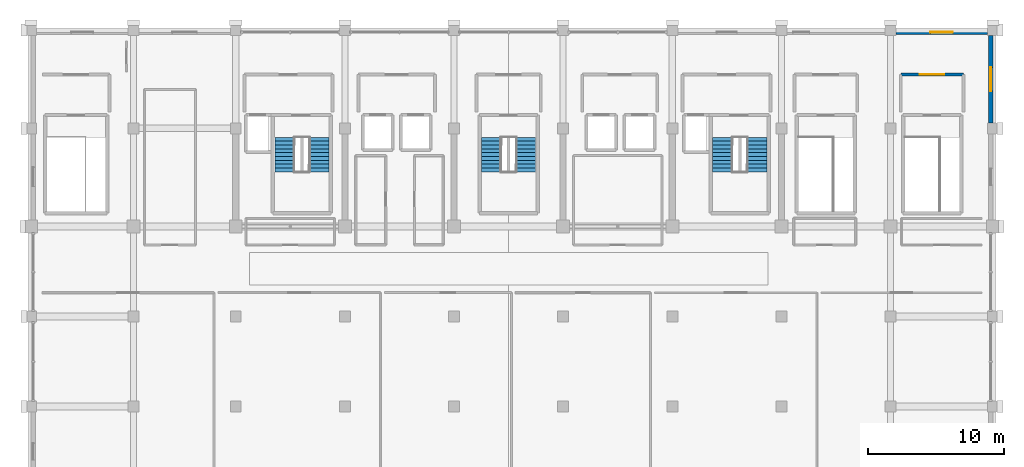
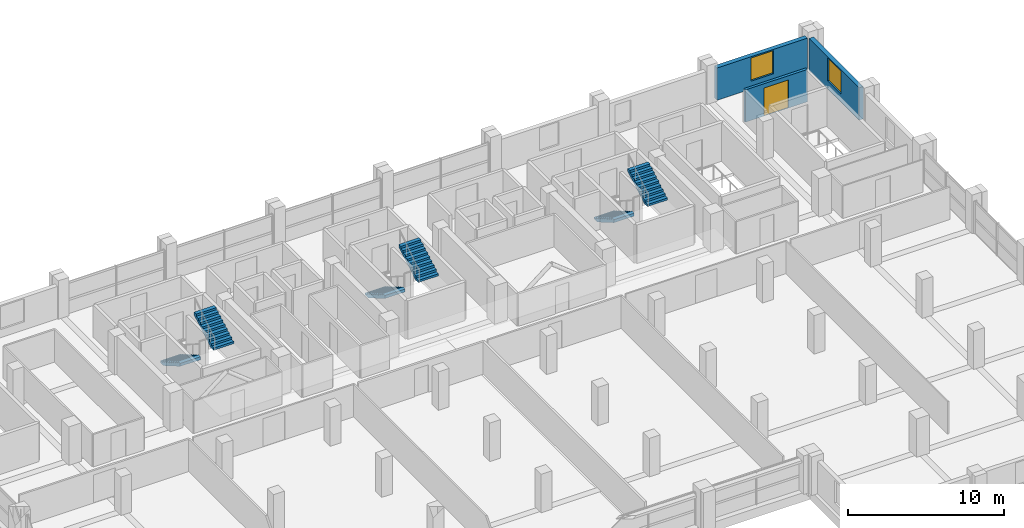
# One storey, part 20 of 21: 6 stair flights, 3 walls, 2 windows, 1 door, 3 openings, 3 elements without a shape of their own.
"""IFC4 building model written with IfcOpenShell, lengths in metres."""

from ifc_helpers import new_model, si_unit, direction, frame, frame_2d, origin, place, context, subcontext, project, spatial, polyline, rectangle, outline, extrude, material, layer, layer_set, type_object, element, fill, aggregate, save


model = new_model("IFC4")

# Units and contexts
model_context = context("Model", 3, precision=1e-05, world=origin(), true_north=direction((0.0, 1.0)))
body_context = subcontext(model_context, "Body", "Model", "MODEL_VIEW")
ifc_project = project(units=[si_unit("LENGTHUNIT", "METRE"), si_unit("AREAUNIT", "SQUARE_METRE"), si_unit("VOLUMEUNIT", "CUBIC_METRE"), si_unit("PLANEANGLEUNIT", "RADIAN"), si_unit("MASSUNIT", "GRAM", prefix="KILO")], contexts=[model_context])

# Site, building, storey
site_placement = place(None, origin())
site = spatial("IfcSite", under=ifc_project, at=site_placement, CompositionType="ELEMENT")
building_placement = place(site_placement, origin())
building = spatial("IfcBuilding", under=site, at=building_placement, Name="Akrevak Sports Hall", CompositionType="ELEMENT")
storey_placement = place(building_placement, frame((0.0, 0.0, 37.300048828125)))
storey = spatial("IfcBuildingStorey", under=building, at=storey_placement, Name="L08", CompositionType="ELEMENT", Elevation=37.300048828125)

# Wall, opening, window
ifc_material_1 = material(Name="Limestone Ashlar", Category="stone")
ifc_layer_1 = layer(ifc_material_1, 0.070068359375, Name="Limestone Ashlar")
ifc_material_2 = material(Name="Mineral Wool Thermal Insulation", Category="insulation")
ifc_layer_2 = layer(ifc_material_2, 0.090087890625, Name="Mineral Wool Thermal Insulation")
ifc_material_3 = material(Name="Concrete C40/50", Category="concrete")
ifc_layer_3 = layer(ifc_material_3, 0.159912109375, Name="Concrete C40/50")
ifc_layer_set_1 = layer_set([ifc_layer_1, ifc_layer_2, ifc_layer_3], Name="Limestone Ashlar / Mineral Wool Thermal Insulation / Concrete C40/50")
wall_type_1 = type_object("IfcWallType", Name="ARC-WL-EXT-320", PredefinedType="SOLIDWALL", material=ifc_layer_set_1)
wall_1_placement = place(storey_placement, frame((115.340087890625, 62.800048828125, 0.0), z_axis=(0.0, 0.0, 1.0), x_axis=(0.0, 1.0, 0.0)))
wall_1 = element("IfcWall", 1, at=wall_1_placement, inside=storey, type_object=wall_type_1, Name="Tower Stone Facade Wall L08-E18", PredefinedType="SOLIDWALL", context=body_context, shape_type="SweptSolid", body=[
    extrude(rectangle(XDim=6.39990234375, YDim=0.320068359375, at=frame_2d((3.199951171875, 0.0))), origin(), (0.0, 0.0, 1.0), 2.530029296875),
])
opening_1_placement = place(wall_1_placement, frame((2.324951171875, 0.0, 0.6201171875)))
opening_1 = element("IfcOpeningElement", 2, at=opening_1_placement, cuts=wall_1, Name="Opening WN-56", PredefinedType="OPENING", context=body_context, shape_type="SweptSolid", body=[
    extrude(rectangle(XDim=1.75, YDim=1.81005859375, at=frame_2d((0.875, 0.905029296875))), frame((0.0, 0.171875, 0.0), z_axis=(0.0, -1.0, 0.0), x_axis=(1.0, 0.0, 0.0)), (0.0, 0.0, 1.0), 0.343994140625),
])
ifc_material_4 = material(Name="Thermally Broken Bronze Frame & Double Low-E Glass", Category="glass")
window_type_1 = type_object("IfcWindowType", Name="ARC-WIN-SZ-1750x1810", PartitioningType="SINGLE_PANEL", PredefinedType="WINDOW", material=ifc_material_4)
window_1_placement = place(opening_1_placement, origin())
window_1 = element("IfcWindow", 3, at=window_1_placement, inside=storey, type_object=window_type_1, Name="Tower Window L08-E18", OverallHeight=1.81005859375, OverallWidth=1.75, PartitioningType="SINGLE_PANEL", PredefinedType="WINDOW", context=body_context, shape_type="SweptSolid", body=[
    extrude(rectangle(XDim=1.75, YDim=1.81005859375, at=frame_2d((0.875, 0.905029296875))), frame((0.0, 0.030029296875, 0.0), z_axis=(0.0, -1.0, 0.0), x_axis=(1.0, 0.0, 0.0)), (0.0, 0.0, 1.0), 0.06005859375),
])
fill(opening_1, window_1)

wall_2_placement = place(storey_placement, frame((115.10009765625, 69.43994140625, 0.0), z_axis=(0.0, 0.0, 1.0), x_axis=(-1.0, 0.0, 0.0)))
wall_2 = element("IfcWall", 4, at=wall_2_placement, inside=storey, type_object=wall_type_1, Name="Tower Stone Facade Wall L08-N19", PredefinedType="SOLIDWALL", context=body_context, shape_type="SweptSolid", body=[
    extrude(rectangle(XDim=6.7001953125, YDim=0.320068359375, at=frame_2d((3.35009765625, 0.0))), origin(), (0.0, 0.0, 1.0), 2.530029296875),
])
opening_2_placement = place(wall_2_placement, frame((2.52490234375, 0.0, 0.6201171875)))
opening_2 = element("IfcOpeningElement", 5, at=opening_2_placement, cuts=wall_2, Name="Opening WN-58", PredefinedType="OPENING", context=body_context, shape_type="SweptSolid", body=[
    extrude(rectangle(XDim=1.64990234375, YDim=1.81005859375, at=frame_2d((0.824951171875, 0.905029296875))), frame((0.0, 0.171875, 0.0), z_axis=(0.0, -1.0, 0.0), x_axis=(1.0, 0.0, 0.0)), (0.0, 0.0, 1.0), 0.343994140625),
])
window_type_2 = type_object("IfcWindowType", Name="ARC-WIN-SZ-1650x1810", PartitioningType="SINGLE_PANEL", PredefinedType="WINDOW", material=ifc_material_4)
window_2_placement = place(opening_2_placement, origin())
window_2 = element("IfcWindow", 6, at=window_2_placement, inside=storey, type_object=window_type_2, Name="Tower Window L08-N19", OverallHeight=1.81005859375, OverallWidth=1.64990234375, PartitioningType="SINGLE_PANEL", PredefinedType="WINDOW", context=body_context, shape_type="SweptSolid", body=[
    extrude(rectangle(XDim=1.64990234375, YDim=1.81005859375, at=frame_2d((0.824951171875, 0.905029296875))), frame((0.0, 0.030029296875, 0.0), z_axis=(0.0, -1.0, 0.0), x_axis=(1.0, 0.0, 0.0)), (0.0, 0.0, 1.0), 0.06005859375),
])
fill(opening_2, window_2)

# Wall, opening, door
ifc_material_5 = material(Name="Autoclaved Aerated Masonry Block", Category="masonry")
ifc_layer_4 = layer(ifc_material_5, 0.199951171875, Name="Autoclaved Aerated Masonry Block")
ifc_layer_set_2 = layer_set([ifc_layer_4], Name="Autoclaved Aerated Masonry Block")
wall_type_2 = type_object("IfcWallType", Name="ARC-WL-PRT-200", PredefinedType="PARTITIONING", material=ifc_layer_set_2)
wall_3_placement = place(storey_placement, frame((108.75, 66.35009765625, 0.0), z_axis=(0.0, 0.0, 1.0), x_axis=(1.0, 0.0, 0.0)))
wall_3 = element("IfcWall", 7, at=wall_3_placement, inside=storey, type_object=wall_type_2, Name="Interior Partition East Transfer Stair ST11 Vestibule L08 (N)", PredefinedType="PARTITIONING", context=body_context, shape_type="SweptSolid", body=[
    extrude(rectangle(XDim=4.60009765625, YDim=0.199951171875, at=frame_2d((2.300048828125, 0.0))), origin(), (0.0, 0.0, 1.0), 2.530029296875),
])
opening_3_placement = place(wall_3_placement, frame((1.39990234375, 0.0, 0.0)))
opening_3 = element("IfcOpeningElement", 8, at=opening_3_placement, cuts=wall_3, Name="Opening FD-02", PredefinedType="OPENING", context=body_context, shape_type="SweptSolid", body=[
    extrude(rectangle(XDim=1.800048828125, YDim=2.199951171875, at=frame_2d((0.89990234375, 1.10009765625))), frame((0.0, 0.11181640625, 0.0), z_axis=(0.0, -1.0, 0.0), x_axis=(1.0, 0.0, 0.0)), (0.0, 0.0, 1.0), 0.223876953125),
])
ifc_material_6 = material(Name="Fire-Rated Galvanized Door Steel", Category="steel")
door_type = type_object("IfcDoorType", Name="ARC-DR-FIRE-180x220", OperationType="DOUBLE_DOOR_SINGLE_SWING", PredefinedType="DOOR", material=ifc_material_6)
door_placement = place(opening_3_placement, frame((1.800048828125, 0.0, 0.0), z_axis=(0.0, 0.0, 1.0), x_axis=(-1.0, 0.0, 0.0)))
door = element("IfcDoor", 9, at=door_placement, inside=storey, type_object=door_type, Name="Door to East Transfer Stair ST11 Vestibule L08", OperationType="DOUBLE_DOOR_SINGLE_SWING", OverallHeight=2.199951171875, OverallWidth=1.800048828125, PredefinedType="DOOR", context=body_context, shape_type="SweptSolid", body=[
    extrude(rectangle(XDim=1.800048828125, YDim=2.199951171875, at=frame_2d((0.89990234375, 1.10009765625))), frame((0.0, 0.02490234375, 0.0), z_axis=(0.0, -1.0, 0.0), x_axis=(1.0, 0.0, 0.0)), (0.0, 0.0, 1.0), 0.050048828125),
])
fill(opening_3, door)

# Stair, stair flights
stair_type = type_object("IfcStairType", Name="ARC-STR-DOG-325", PredefinedType="HALF_TURN_STAIR", material=ifc_material_3)
stair_1_placement = place(storey_placement, origin())
stair_1 = element("IfcStair", 10, at=stair_1_placement, inside=storey, type_object=stair_type, Name="Protected Exit Stair ST1 (L08 to L09)", PredefinedType="HALF_TURN_STAIR")
stair_flight_type = type_object("IfcStairFlightType", Name="ARC-FLT-165-163", PredefinedType="STRAIGHT", material=ifc_material_3)
stair_flight_1_placement = place(storey_placement, frame((63.610107421875, 61.735107421875, 0.0), z_axis=(0.0, 0.0, 1.0), x_axis=(0.0, -1.0, 0.0)))
stair_flight_1 = element("IfcStairFlight", 11, at=stair_flight_1_placement, type_object=stair_flight_type, Name="Stair ST1 Flight 1 (L08)", NumberOfRisers=10, NumberOfTreads=9, PredefinedType="STRAIGHT", RiserHeight=0.1625, TreadLength=0.28, context=body_context, shape_type="SweptSolid", body=[
    extrude(outline(polyline([(0.0, 0.0), (0.0, 0.16259765625), (0.280029296875, 0.16259765625), (0.280029296875, 0.324951171875), (0.56005859375, 0.324951171875), (0.56005859375, 0.487548828125), (0.840087890625, 0.487548828125), (0.840087890625, 0.64990234375), (1.1201171875, 0.64990234375), (1.1201171875, 0.8125), (1.39990234375, 0.8125), (1.39990234375, 0.97509765625), (1.679931640625, 0.97509765625), (1.679931640625, 1.137451171875), (1.9599609375, 1.137451171875), (1.9599609375, 1.300048828125), (2.239990234375, 1.300048828125), (2.239990234375, 1.46240234375), (2.52001953125, 1.46240234375), (2.52001953125, 1.625), (2.52001953125, 1.231201171875), (0.3984375, 0.0), (0.0, 0.0)])), frame((0.0, 0.75, 0.0), z_axis=(0.0, -1.0, 0.0), x_axis=(1.0, 0.0, 0.0)), (0.0, 0.0, 1.0), 1.5),
])
stair_flight_2_placement = place(storey_placement, frame((66.090087890625, 59.215087890625, 1.625), z_axis=(0.0, 0.0, 1.0), x_axis=(0.0, 1.0, 0.0)))
stair_flight_2 = element("IfcStairFlight", 12, at=stair_flight_2_placement, type_object=stair_flight_type, Name="Stair ST1 Flight 2 (L08)", NumberOfRisers=10, NumberOfTreads=9, PredefinedType="STRAIGHT", RiserHeight=0.1625, TreadLength=0.28, context=body_context, shape_type="SweptSolid", body=[
    extrude(outline(polyline([(0.0, 0.0), (0.0, 0.16259765625), (0.280029296875, 0.16259765625), (0.280029296875, 0.324951171875), (0.56005859375, 0.324951171875), (0.56005859375, 0.487548828125), (0.840087890625, 0.487548828125), (0.840087890625, 0.64990234375), (1.1201171875, 0.64990234375), (1.1201171875, 0.8125), (1.39990234375, 0.8125), (1.39990234375, 0.97509765625), (1.679931640625, 0.97509765625), (1.679931640625, 1.137451171875), (1.9599609375, 1.137451171875), (1.9599609375, 1.300048828125), (2.239990234375, 1.300048828125), (2.239990234375, 1.46240234375), (2.52001953125, 1.46240234375), (2.52001953125, 1.625), (2.52001953125, 1.231201171875), (0.3984375, 0.0), (0.0, 0.0)])), frame((0.0, 0.75, 0.0), z_axis=(0.0, -1.0, 0.0), x_axis=(1.0, 0.0, 0.0)), (0.0, 0.0, 1.0), 1.5),
])
aggregate(stair_1, [stair_flight_1, stair_flight_2])

stair_2_placement = place(storey_placement, origin())
stair_2 = element("IfcStair", 13, at=stair_2_placement, inside=storey, type_object=stair_type, Name="Protected Exit Stair ST2 (L08 to L09)", PredefinedType="HALF_TURN_STAIR")
stair_flight_3_placement = place(storey_placement, frame((95.7099609375, 61.735107421875, 0.0), z_axis=(0.0, 0.0, 1.0), x_axis=(0.0, -1.0, 0.0)))
stair_flight_3 = element("IfcStairFlight", 14, at=stair_flight_3_placement, type_object=stair_flight_type, Name="Stair ST2 Flight 1 (L08)", NumberOfRisers=10, NumberOfTreads=9, PredefinedType="STRAIGHT", RiserHeight=0.1625, TreadLength=0.28, context=body_context, shape_type="SweptSolid", body=[
    extrude(outline(polyline([(0.0, 0.0), (0.0, 0.16259765625), (0.280029296875, 0.16259765625), (0.280029296875, 0.324951171875), (0.56005859375, 0.324951171875), (0.56005859375, 0.487548828125), (0.840087890625, 0.487548828125), (0.840087890625, 0.64990234375), (1.1201171875, 0.64990234375), (1.1201171875, 0.8125), (1.39990234375, 0.8125), (1.39990234375, 0.97509765625), (1.679931640625, 0.97509765625), (1.679931640625, 1.137451171875), (1.9599609375, 1.137451171875), (1.9599609375, 1.300048828125), (2.239990234375, 1.300048828125), (2.239990234375, 1.46240234375), (2.52001953125, 1.46240234375), (2.52001953125, 1.625), (2.52001953125, 1.231201171875), (0.3984375, 0.0), (0.0, 0.0)])), frame((0.0, 0.75, 0.0), z_axis=(0.0, -1.0, 0.0), x_axis=(1.0, 0.0, 0.0)), (0.0, 0.0, 1.0), 1.5),
])
stair_flight_4_placement = place(storey_placement, frame((98.18994140625, 59.215087890625, 1.625), z_axis=(0.0, 0.0, 1.0), x_axis=(0.0, 1.0, 0.0)))
stair_flight_4 = element("IfcStairFlight", 15, at=stair_flight_4_placement, type_object=stair_flight_type, Name="Stair ST2 Flight 2 (L08)", NumberOfRisers=10, NumberOfTreads=9, PredefinedType="STRAIGHT", RiserHeight=0.1625, TreadLength=0.28, context=body_context, shape_type="SweptSolid", body=[
    extrude(outline(polyline([(0.0, 0.0), (0.0, 0.16259765625), (0.280029296875, 0.16259765625), (0.280029296875, 0.324951171875), (0.56005859375, 0.324951171875), (0.56005859375, 0.487548828125), (0.840087890625, 0.487548828125), (0.840087890625, 0.64990234375), (1.1201171875, 0.64990234375), (1.1201171875, 0.8125), (1.39990234375, 0.8125), (1.39990234375, 0.97509765625), (1.679931640625, 0.97509765625), (1.679931640625, 1.137451171875), (1.9599609375, 1.137451171875), (1.9599609375, 1.300048828125), (2.239990234375, 1.300048828125), (2.239990234375, 1.46240234375), (2.52001953125, 1.46240234375), (2.52001953125, 1.625), (2.52001953125, 1.231201171875), (0.3984375, 0.0), (0.0, 0.0)])), frame((0.0, 0.75, 0.0), z_axis=(0.0, -1.0, 0.0), x_axis=(1.0, 0.0, 0.0)), (0.0, 0.0, 1.0), 1.5),
])
aggregate(stair_2, [stair_flight_3, stair_flight_4])

stair_3_placement = place(storey_placement, origin())
stair_3 = element("IfcStair", 16, at=stair_3_placement, inside=storey, type_object=stair_type, Name="Protected Exit Stair ST3 (L08 to L09)", PredefinedType="HALF_TURN_STAIR")
stair_flight_5_placement = place(storey_placement, frame((78.760009765625, 61.735107421875, 0.0), z_axis=(0.0, 0.0, 1.0), x_axis=(0.0, -1.0, 0.0)))
stair_flight_5 = element("IfcStairFlight", 17, at=stair_flight_5_placement, type_object=stair_flight_type, Name="Stair ST3 Flight 1 (L08)", NumberOfRisers=10, NumberOfTreads=9, PredefinedType="STRAIGHT", RiserHeight=0.1625, TreadLength=0.28, context=body_context, shape_type="SweptSolid", body=[
    extrude(outline(polyline([(0.0, 0.0), (0.0, 0.16259765625), (0.280029296875, 0.16259765625), (0.280029296875, 0.324951171875), (0.56005859375, 0.324951171875), (0.56005859375, 0.487548828125), (0.840087890625, 0.487548828125), (0.840087890625, 0.64990234375), (1.1201171875, 0.64990234375), (1.1201171875, 0.8125), (1.39990234375, 0.8125), (1.39990234375, 0.97509765625), (1.679931640625, 0.97509765625), (1.679931640625, 1.137451171875), (1.9599609375, 1.137451171875), (1.9599609375, 1.300048828125), (2.239990234375, 1.300048828125), (2.239990234375, 1.46240234375), (2.52001953125, 1.46240234375), (2.52001953125, 1.625), (2.52001953125, 1.231201171875), (0.3984375, 0.0), (0.0, 0.0)])), frame((0.0, 0.75, 0.0), z_axis=(0.0, -1.0, 0.0), x_axis=(1.0, 0.0, 0.0)), (0.0, 0.0, 1.0), 1.5),
])
stair_flight_6_placement = place(storey_placement, frame((81.239990234375, 59.215087890625, 1.625), z_axis=(0.0, 0.0, 1.0), x_axis=(0.0, 1.0, 0.0)))
stair_flight_6 = element("IfcStairFlight", 18, at=stair_flight_6_placement, type_object=stair_flight_type, Name="Stair ST3 Flight 2 (L08)", NumberOfRisers=10, NumberOfTreads=9, PredefinedType="STRAIGHT", RiserHeight=0.1625, TreadLength=0.28, context=body_context, shape_type="SweptSolid", body=[
    extrude(outline(polyline([(0.0, 0.0), (0.0, 0.16259765625), (0.280029296875, 0.16259765625), (0.280029296875, 0.324951171875), (0.56005859375, 0.324951171875), (0.56005859375, 0.487548828125), (0.840087890625, 0.487548828125), (0.840087890625, 0.64990234375), (1.1201171875, 0.64990234375), (1.1201171875, 0.8125), (1.39990234375, 0.8125), (1.39990234375, 0.97509765625), (1.679931640625, 0.97509765625), (1.679931640625, 1.137451171875), (1.9599609375, 1.137451171875), (1.9599609375, 1.300048828125), (2.239990234375, 1.300048828125), (2.239990234375, 1.46240234375), (2.52001953125, 1.46240234375), (2.52001953125, 1.625), (2.52001953125, 1.231201171875), (0.3984375, 0.0), (0.0, 0.0)])), frame((0.0, 0.75, 0.0), z_axis=(0.0, -1.0, 0.0), x_axis=(1.0, 0.0, 0.0)), (0.0, 0.0, 1.0), 1.5),
])
aggregate(stair_3, [stair_flight_5, stair_flight_6])

save(model, "model.ifc")
